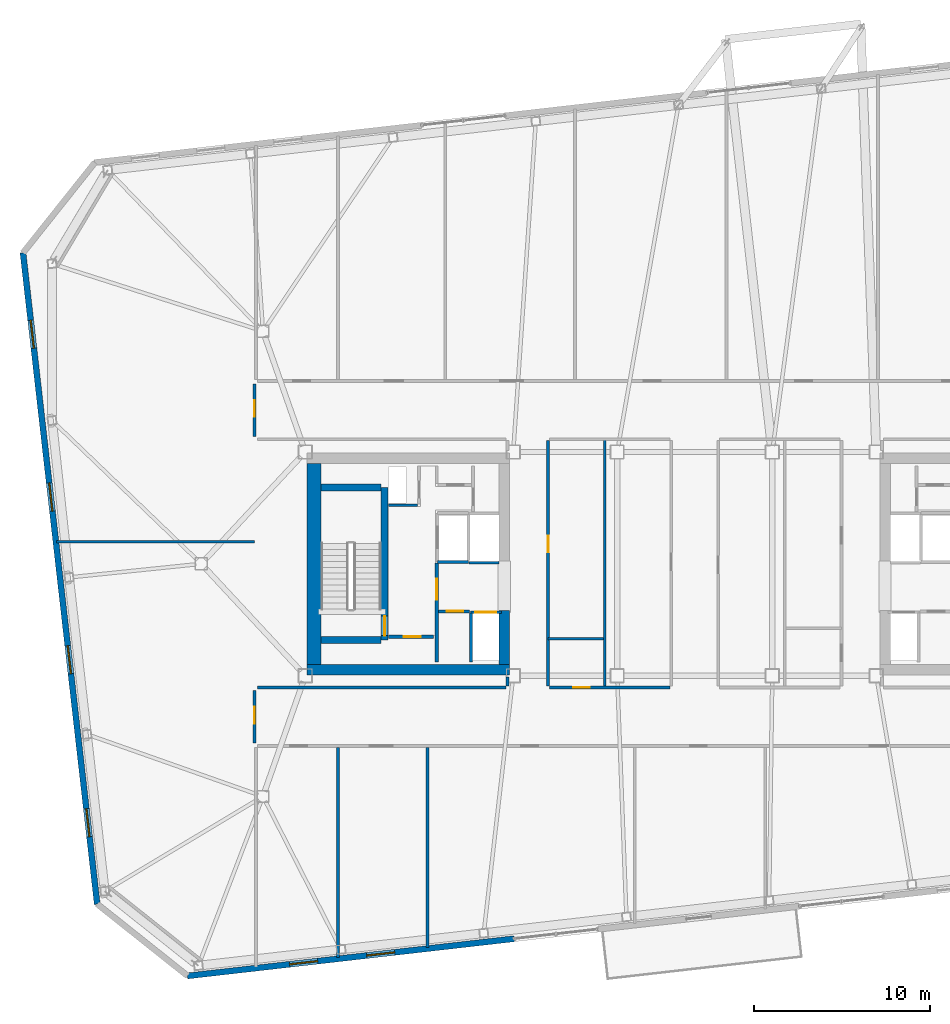
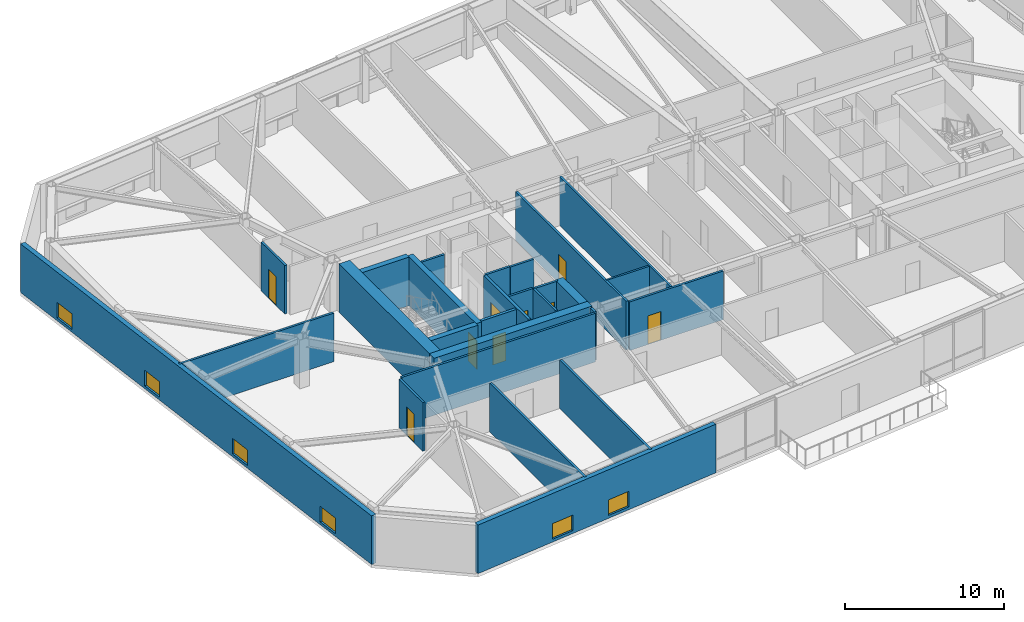
# One storey, part 12 of 20: 27 walls, 9 doors, 6 windows, 15 openings.
"""IFC4 building model written with IfcOpenShell, lengths in metres."""

from ifc_helpers import new_model, si_unit, direction, frame, frame_2d, origin, place, context, subcontext, project, spatial, rectangle, extrude, material, layer, layer_set, type_object, element, fill, save


model = new_model("IFC4")

# Units and contexts
model_context = context("Model", 3, precision=1e-05, world=origin(), true_north=direction((0.0, 1.0)))
body_context = subcontext(model_context, "Body", "Model", "MODEL_VIEW")
ifc_project = project(units=[si_unit("LENGTHUNIT", "METRE"), si_unit("AREAUNIT", "SQUARE_METRE"), si_unit("VOLUMEUNIT", "CUBIC_METRE"), si_unit("PLANEANGLEUNIT", "RADIAN"), si_unit("MASSUNIT", "GRAM", prefix="KILO")], contexts=[model_context])

# Site, building, storey
site_placement = place(None, origin())
site = spatial("IfcSite", under=ifc_project, at=site_placement, CompositionType="ELEMENT")
building_placement = place(site_placement, origin())
building = spatial("IfcBuilding", under=site, at=building_placement, Name="Tavrogorsk Clinical Tower", CompositionType="ELEMENT")
storey_placement = place(building_placement, frame((0.0, 0.0, 234.199951171875)))
storey = spatial("IfcBuildingStorey", under=building, at=storey_placement, Name="L54", CompositionType="ELEMENT", Elevation=234.199951171875)

# Wall, opening, door
ifc_material_1 = material(Name="Concrete B60", Category="concrete")
ifc_layer_1 = layer(ifc_material_1, 0.199951171875)
ifc_layer_set_1 = layer_set([ifc_layer_1], Name="Concrete B60")
wall_type_1 = type_object("IfcWallType", Name="CoreFireWall_200", PredefinedType="SOLIDWALL", material=ifc_layer_set_1)
wall_1_placement = place(storey_placement, frame((-17.3798828125, -4.139892578125, 0.0), z_axis=(0.0, 0.0, 1.0), x_axis=(1.0, 0.0, 0.0)))
wall_1 = element("IfcWall", 1, at=wall_1_placement, inside=storey, type_object=wall_type_1, Name="L54 Core West South Core Room Fire Wall", PredefinedType="SOLIDWALL", context=body_context, shape_type="SweptSolid", body=[
    extrude(rectangle(XDim=2.554931640625, YDim=0.199951171875, at=frame_2d((1.27734375, 0.0))), origin(), (0.0, 0.0, 1.0), 3.739990234375),
])
opening_1_placement = place(wall_1_placement, frame((0.8798828125, 0.0, 0.0)))
opening_1 = element("IfcOpeningElement", 2, at=opening_1_placement, cuts=wall_1, Name="Opening ID-02", PredefinedType="OPENING", context=body_context, shape_type="SweptSolid", body=[
    extrude(rectangle(XDim=0.949951171875, YDim=2.199951171875, at=frame_2d((0.47509765625, 1.10009765625))), frame((0.0, 0.10986328125, 0.0), z_axis=(0.0, -1.0, 0.0), x_axis=(1.0, 0.0, 0.0)), (0.0, 0.0, 1.0), 0.219970703125),
])
ifc_material_2 = material(Name="Laminated timber leaf on aluminium frame", Category="wood")
door_type_1 = type_object("IfcDoorType", Name="InteriorDoor_ID02_950", OperationType="NOTDEFINED", PredefinedType="DOOR", material=ifc_material_2)
door_1_placement = place(opening_1_placement, origin())
door_1 = element("IfcDoor", 3, at=door_1_placement, inside=storey, type_object=door_type_1, Name="L54 Core West South Core Room Door", OperationType="SINGLE_SWING_RIGHT", OverallHeight=2.199951171875, OverallWidth=0.949951171875, PredefinedType="DOOR", context=body_context, shape_type="SweptSolid", body=[
    extrude(rectangle(XDim=0.949951171875, YDim=2.199951171875, at=frame_2d((0.47509765625, 1.10009765625))), frame((0.0, 0.02490234375, 0.0), z_axis=(0.0, -1.0, 0.0), x_axis=(1.0, 0.0, 0.0)), (0.0, 0.0, 1.0), 0.050048828125),
])
fill(opening_1, door_1)

wall_2_placement = place(storey_placement, frame((-14.639892578125, -5.56005859375, 0.0), z_axis=(0.0, 0.0, 1.0), x_axis=(0.0, 1.0, 0.0)))
wall_2 = element("IfcWall", 4, at=wall_2_placement, inside=storey, type_object=wall_type_1, Name="L54 Core West Firefighting Lobby Fire Wall", PredefinedType="SOLIDWALL", context=body_context, shape_type="SweptSolid", body=[
    extrude(rectangle(XDim=5.60009765625, YDim=0.199951171875, at=frame_2d((2.800048828125, 0.0))), origin(), (0.0, 0.0, 1.0), 3.739990234375),
])
opening_2_placement = place(wall_2_placement, frame((3.510009765625, 0.0, 0.0)))
opening_2 = element("IfcOpeningElement", 5, at=opening_2_placement, cuts=wall_2, Name="Opening FD-01", PredefinedType="OPENING", context=body_context, shape_type="SweptSolid", body=[
    extrude(rectangle(XDim=1.199951171875, YDim=2.199951171875, at=frame_2d((0.60009765625, 1.10009765625))), frame((0.0, 0.10986328125, 0.0), z_axis=(0.0, -1.0, 0.0), x_axis=(1.0, 0.0, 0.0)), (0.0, 0.0, 1.0), 0.219970703125),
])
ifc_material_3 = material(Name="Galvanised steel fire-rated door assembly", Category="steel")
door_type_2 = type_object("IfcDoorType", Name="FireDoor_FD01_1200", OperationType="NOTDEFINED", PredefinedType="DOOR", material=ifc_material_3)
door_2_placement = place(opening_2_placement, origin())
door_2 = element("IfcDoor", 6, at=door_2_placement, inside=storey, type_object=door_type_2, Name="L54 Core West Firefighting Lobby Entry Door", OperationType="SINGLE_SWING_RIGHT", OverallHeight=2.199951171875, OverallWidth=1.199951171875, PredefinedType="DOOR", context=body_context, shape_type="SweptSolid", body=[
    extrude(rectangle(XDim=1.199951171875, YDim=2.199951171875, at=frame_2d((0.60009765625, 1.10009765625))), frame((0.0, 0.02490234375, 0.0), z_axis=(0.0, -1.0, 0.0), x_axis=(1.0, 0.0, 0.0)), (0.0, 0.0, 1.0), 0.050048828125),
])
fill(opening_2, door_2)

# Walls
ifc_material_4 = material(Name="Lightweight concrete blockwork B15", Category="masonry")
ifc_layer_2 = layer(ifc_material_4, 0.139892578125)
ifc_layer_set_2 = layer_set([ifc_layer_2], Name="Lightweight concrete blockwork B15")
wall_type_2 = type_object("IfcWallType", Name="PartitionWall_140", PredefinedType="PARTITIONING", material=ifc_layer_set_2)
wall_3_placement = place(storey_placement, frame((-5.10009765625, -7.014892578125, 0.0), z_axis=(0.0, 0.0, 1.0), x_axis=(0.0, 1.0, 0.0)))
element("IfcWall", 7, at=wall_3_placement, inside=storey, type_object=wall_type_2, Name="L54 Central Spine Partition 1", PredefinedType="PARTITIONING", context=body_context, shape_type="SweptSolid", body=[
    extrude(rectangle(XDim=14.079833984375, YDim=0.139892578125, at=frame_2d((7.0400390625, 0.0))), origin(), (0.0, 0.0, 1.0), 3.739990234375),
])
wall_4_placement = place(storey_placement, frame((-8.31494140625, -4.25, 0.0), z_axis=(0.0, 0.0, 1.0), x_axis=(1.0, 0.0, 0.0)))
element("IfcWall", 8, at=wall_4_placement, inside=storey, type_object=wall_type_2, Name="L54 Central Spine Partition 3", PredefinedType="PARTITIONING", context=body_context, shape_type="SweptSolid", body=[
    extrude(rectangle(XDim=3.139892578125, YDim=0.139892578125, at=frame_2d((1.56982421875, 0.0))), origin(), (0.0, 0.0, 1.0), 3.739990234375),
])

# Wall, opening, door
ifc_material_5 = material(Name="Lightweight concrete blockwork B15", Category="masonry")
ifc_layer_3 = layer(ifc_material_5, 0.159912109375)
ifc_layer_set_3 = layer_set([ifc_layer_3], Name="Lightweight concrete blockwork B15")
wall_type_3 = type_object("IfcWallType", Name="PartitionWall_160", PredefinedType="PARTITIONING", material=ifc_layer_set_3)
wall_5_placement = place(storey_placement, frame((-14.534912109375, -2.699951171875, 0.0), z_axis=(0.0, 0.0, 1.0), x_axis=(1.0, 0.0, 0.0)))
wall_5 = element("IfcWall", 9, at=wall_5_placement, inside=storey, type_object=wall_type_3, Name="L54 Core West Freed Low-Bank North Partition", PredefinedType="PARTITIONING", context=body_context, shape_type="SweptSolid", body=[
    extrude(rectangle(XDim=1.760009765625, YDim=0.159912109375, at=frame_2d((0.8798828125, 0.0))), origin(), (0.0, 0.0, 1.0), 3.739990234375),
])
opening_3_placement = place(wall_5_placement, frame((0.449951171875, 0.0, 0.0)))
opening_3 = element("IfcOpeningElement", 10, at=opening_3_placement, cuts=wall_5, Name="Opening ID-02", PredefinedType="OPENING", context=body_context, shape_type="SweptSolid", body=[
    extrude(rectangle(XDim=0.949951171875, YDim=2.199951171875, at=frame_2d((0.47509765625, 1.10009765625))), frame((0.0, 0.08984375, 0.0), z_axis=(0.0, -1.0, 0.0), x_axis=(1.0, 0.0, 0.0)), (0.0, 0.0, 1.0), 0.179931640625),
])
door_3_placement = place(opening_3_placement, origin())
door_3 = element("IfcDoor", 11, at=door_3_placement, inside=storey, type_object=door_type_1, Name="L54 Core West Biomedical Alcove Door", OperationType="SINGLE_SWING_LEFT", OverallHeight=2.199951171875, OverallWidth=0.949951171875, PredefinedType="DOOR", context=body_context, shape_type="SweptSolid", body=[
    extrude(rectangle(XDim=0.949951171875, YDim=2.199951171875, at=frame_2d((0.47509765625, 1.10009765625))), frame((0.0, 0.02490234375, 0.0), z_axis=(0.0, -1.0, 0.0), x_axis=(1.0, 0.0, 0.0)), (0.0, 0.0, 1.0), 0.050048828125),
])
fill(opening_3, door_3)

wall_6_placement = place(storey_placement, frame((-24.97998046875, -10.1650390625, 0.0), z_axis=(0.0, 0.0, 1.0), x_axis=(0.0, 1.0, 0.0)))
wall_6 = element("IfcWall", 12, at=wall_6_placement, inside=storey, type_object=wall_type_3, Name="L54 Corridor Partition 01", PredefinedType="PARTITIONING", context=body_context, shape_type="SweptSolid", body=[
    extrude(rectangle(XDim=2.97998046875, YDim=0.159912109375, at=frame_2d((1.489990234375, 0.0))), origin(), (0.0, 0.0, 1.0), 3.739990234375),
])
opening_4_placement = place(wall_6_placement, frame((1.10009765625, 0.0, 0.0)))
opening_4 = element("IfcOpeningElement", 13, at=opening_4_placement, cuts=wall_6, Name="Opening ID-02", PredefinedType="OPENING", context=body_context, shape_type="SweptSolid", body=[
    extrude(rectangle(XDim=0.949951171875, YDim=2.199951171875, at=frame_2d((0.47509765625, 1.10009765625))), frame((0.0, 0.08984375, 0.0), z_axis=(0.0, -1.0, 0.0), x_axis=(1.0, 0.0, 0.0)), (0.0, 0.0, 1.0), 0.179931640625),
])
door_4_placement = place(opening_4_placement, origin())
door_4 = element("IfcDoor", 14, at=door_4_placement, inside=storey, type_object=door_type_1, Name="L54 W Solarium Day Room & Lounge 1 Door", OperationType="SINGLE_SWING_RIGHT", OverallHeight=2.199951171875, OverallWidth=0.949951171875, PredefinedType="DOOR", context=body_context, shape_type="SweptSolid", body=[
    extrude(rectangle(XDim=0.949951171875, YDim=2.199951171875, at=frame_2d((0.47509765625, 1.10009765625))), frame((0.0, 0.02490234375, 0.0), z_axis=(0.0, -1.0, 0.0), x_axis=(1.0, 0.0, 0.0)), (0.0, 0.0, 1.0), 0.050048828125),
])
fill(opening_4, door_4)

# Walls
wall_7_placement = place(storey_placement, frame((-24.81494140625, -7.02001953125, 0.0), z_axis=(0.0, 0.0, 1.0), x_axis=(1.0, 0.0, 0.0)))
element("IfcWall", 15, at=wall_7_placement, inside=storey, type_object=wall_type_3, Name="L54 Corridor Partition 02", PredefinedType="PARTITIONING", context=body_context, shape_type="SweptSolid", body=[
    extrude(rectangle(XDim=14.099853515625, YDim=0.159912109375, at=frame_2d((7.0498046875, 0.0))), origin(), (0.0, 0.0, 1.0), 3.739990234375),
])
wall_8_placement = place(storey_placement, frame((-10.6298828125, -6.93505859375, 0.0), z_axis=(0.0, 0.0, 1.0), x_axis=(0.0, 1.0, 0.0)))
element("IfcWall", 16, at=wall_8_placement, inside=storey, type_object=wall_type_3, Name="L54 Corridor Partition 03", PredefinedType="PARTITIONING", context=body_context, shape_type="SweptSolid", body=[
    extrude(rectangle(XDim=0.51513671875, YDim=0.159912109375, at=frame_2d((0.257568359375, 0.0))), origin(), (0.0, 0.0, 1.0), 3.739990234375),
])

# Wall, opening, door
wall_9_placement = place(storey_placement, frame((-24.97998046875, 7.235107421875, 0.0), z_axis=(0.0, 0.0, 1.0), x_axis=(0.0, 1.0, 0.0)))
wall_9 = element("IfcWall", 17, at=wall_9_placement, inside=storey, type_object=wall_type_3, Name="L54 Corridor Partition 06", PredefinedType="PARTITIONING", context=body_context, shape_type="SweptSolid", body=[
    extrude(rectangle(XDim=2.97998046875, YDim=0.159912109375, at=frame_2d((1.489990234375, 0.0))), origin(), (0.0, 0.0, 1.0), 3.739990234375),
])
opening_5_placement = place(wall_9_placement, frame((1.10009765625, 0.0, 0.0)))
opening_5 = element("IfcOpeningElement", 18, at=opening_5_placement, cuts=wall_9, Name="Opening ID-02", PredefinedType="OPENING", context=body_context, shape_type="SweptSolid", body=[
    extrude(rectangle(XDim=0.949951171875, YDim=2.199951171875, at=frame_2d((0.47509765625, 1.10009765625))), frame((0.0, 0.08984375, 0.0), z_axis=(0.0, -1.0, 0.0), x_axis=(1.0, 0.0, 0.0)), (0.0, 0.0, 1.0), 0.179931640625),
])
door_5_placement = place(opening_5_placement, origin())
door_5 = element("IfcDoor", 19, at=door_5_placement, inside=storey, type_object=door_type_1, Name="L54 W Rehabilitation Therapy Suite 2 Door", OperationType="SINGLE_SWING_LEFT", OverallHeight=2.199951171875, OverallWidth=0.949951171875, PredefinedType="DOOR", context=body_context, shape_type="SweptSolid", body=[
    extrude(rectangle(XDim=0.949951171875, YDim=2.199951171875, at=frame_2d((0.47509765625, 1.10009765625))), frame((0.0, 0.02490234375, 0.0), z_axis=(0.0, -1.0, 0.0), x_axis=(1.0, 0.0, 0.0)), (0.0, 0.0, 1.0), 0.050048828125),
])
fill(opening_5, door_5)

wall_10_placement = place(storey_placement, frame((-8.320068359375, 6.985107421875, 0.0), z_axis=(0.0, 0.0, 1.0), x_axis=(0.0, -1.0, 0.0)))
wall_10 = element("IfcWall", 20, at=wall_10_placement, inside=storey, type_object=wall_type_3, Name="L54 Corridor Partition 21", PredefinedType="PARTITIONING", context=body_context, shape_type="SweptSolid", body=[
    extrude(rectangle(XDim=13.920166015625, YDim=0.159912109375, at=frame_2d((6.9599609375, 0.0))), origin(), (0.0, 0.0, 1.0), 3.739990234375),
])
opening_6_placement = place(wall_10_placement, frame((5.379150390625, 0.0, 0.0)))
opening_6 = element("IfcOpeningElement", 21, at=opening_6_placement, cuts=wall_10, Name="Opening ID-02", PredefinedType="OPENING", context=body_context, shape_type="SweptSolid", body=[
    extrude(rectangle(XDim=0.949951171875, YDim=2.199951171875, at=frame_2d((0.47509765625, 1.10009765625))), frame((0.0, 0.08984375, 0.0), z_axis=(0.0, -1.0, 0.0), x_axis=(1.0, 0.0, 0.0)), (0.0, 0.0, 1.0), 0.179931640625),
])
door_6_placement = place(opening_6_placement, origin())
door_6 = element("IfcDoor", 22, at=door_6_placement, inside=storey, type_object=door_type_1, Name="L54 Ward Nourishment Pantry Door", OperationType="SINGLE_SWING_LEFT", OverallHeight=2.199951171875, OverallWidth=0.949951171875, PredefinedType="DOOR", context=body_context, shape_type="SweptSolid", body=[
    extrude(rectangle(XDim=0.949951171875, YDim=2.199951171875, at=frame_2d((0.47509765625, 1.10009765625))), frame((0.0, 0.02490234375, 0.0), z_axis=(0.0, -1.0, 0.0), x_axis=(1.0, 0.0, 0.0)), (0.0, 0.0, 1.0), 0.050048828125),
])
fill(opening_6, door_6)

wall_11_placement = place(storey_placement, frame((-8.235107421875, -7.02001953125, 0.0), z_axis=(0.0, 0.0, 1.0), x_axis=(1.0, 0.0, 0.0)))
wall_11 = element("IfcWall", 23, at=wall_11_placement, inside=storey, type_object=wall_type_3, Name="L54 Corridor Partition 22", PredefinedType="PARTITIONING", context=body_context, shape_type="SweptSolid", body=[
    extrude(rectangle(XDim=6.820068359375, YDim=0.159912109375, at=frame_2d((3.41015625, 0.0))), origin(), (0.0, 0.0, 1.0), 3.739990234375),
])
opening_7_placement = place(wall_11_placement, frame((1.3291015625, 0.0, 0.0)))
opening_7 = element("IfcOpeningElement", 24, at=opening_7_placement, cuts=wall_11, Name="Opening ID-02", PredefinedType="OPENING", context=body_context, shape_type="SweptSolid", body=[
    extrude(rectangle(XDim=0.949951171875, YDim=2.199951171875, at=frame_2d((0.47509765625, 1.10009765625))), frame((0.0, 0.08984375, 0.0), z_axis=(0.0, -1.0, 0.0), x_axis=(1.0, 0.0, 0.0)), (0.0, 0.0, 1.0), 0.179931640625),
])
door_7_placement = place(opening_7_placement, origin())
door_7 = element("IfcDoor", 25, at=door_7_placement, inside=storey, type_object=door_type_1, Name="L54 Accessible Patient Lavatory Door", OperationType="SINGLE_SWING_RIGHT", OverallHeight=2.199951171875, OverallWidth=0.949951171875, PredefinedType="DOOR", context=body_context, shape_type="SweptSolid", body=[
    extrude(rectangle(XDim=0.949951171875, YDim=2.199951171875, at=frame_2d((0.47509765625, 1.10009765625))), frame((0.0, 0.02490234375, 0.0), z_axis=(0.0, -1.0, 0.0), x_axis=(1.0, 0.0, 0.0)), (0.0, 0.0, 1.0), 0.050048828125),
])
fill(opening_7, door_7)

# Walls
wall_12_placement = place(storey_placement, frame((-20.25, -22.343505859375, 0.0), z_axis=(0.0, 0.0, 1.0), x_axis=(0.0, 1.0, 0.0)))
element("IfcWall", 26, at=wall_12_placement, inside=storey, type_object=wall_type_3, Name="L54 South Room Partition 1", PredefinedType="PARTITIONING", context=body_context, shape_type="SweptSolid", body=[
    extrude(rectangle(XDim=11.928466796875, YDim=0.159912109375, at=frame_2d((5.96435546875, 0.0))), origin(), (0.0, 0.0, 1.0), 3.739990234375),
])
wall_13_placement = place(storey_placement, frame((-15.159912109375, -21.763671875, 0.0), z_axis=(0.0, 0.0, 1.0), x_axis=(0.0, 1.0, 0.0)))
element("IfcWall", 27, at=wall_13_placement, inside=storey, type_object=wall_type_3, Name="L54 South Room Partition 2", PredefinedType="PARTITIONING", context=body_context, shape_type="SweptSolid", body=[
    extrude(rectangle(XDim=11.3486328125, YDim=0.159912109375, at=frame_2d((5.67431640625, 0.0))), origin(), (0.0, 0.0, 1.0), 3.739990234375),
])
wall_14_placement = place(storey_placement, frame((-36.2294921875, 1.25, 0.0), z_axis=(0.0, 0.0, 1.0), x_axis=(1.0, 0.0, 0.0)))
element("IfcWall", 28, at=wall_14_placement, inside=storey, type_object=wall_type_3, Name="L54 W Wing Divider 1", PredefinedType="PARTITIONING", context=body_context, shape_type="SweptSolid", body=[
    extrude(rectangle(XDim=11.24951171875, YDim=0.159912109375, at=frame_2d((5.624755859375, 0.0))), origin(), (0.0, 0.0, 1.0), 3.739990234375),
])

# Wall, openings, windows
ifc_material_6 = material(Name="Precast concrete B45 with limestone cladding", Category="masonry")
ifc_layer_4 = layer(ifc_material_6, 0.340087890625)
ifc_layer_set_4 = layer_set([ifc_layer_4], Name="Precast concrete B45 with limestone cladding")
wall_type_4 = type_object("IfcWallType", Name="PrecastLimestoneWall_340", PredefinedType="STANDARD", material=ifc_layer_set_4)
wall_15_placement = place(storey_placement, frame((-28.78271484375, -23.38623046875, 0.0), z_axis=(0.0, 0.0, 1.0), x_axis=(0.993572271362, 0.113199565282, 0.0)))
wall_15 = element("IfcWall", 29, at=wall_15_placement, inside=storey, type_object=wall_type_4, Name="L54 S Limestone Facade Wall 1", PredefinedType="STANDARD", context=body_context, shape_type="SweptSolid", body=[
    extrude(rectangle(XDim=18.6513671875, YDim=0.340087890625, at=frame_2d((9.32568359375, 0.0))), origin(), (0.0, 0.0, 1.0), 3.739990234375),
])
opening_8_placement = place(wall_15_placement, frame((5.82861328125, 0.0, 0.219970703125)))
opening_8 = element("IfcOpeningElement", 30, at=opening_8_placement, cuts=wall_15, Name="Opening WN-09", PredefinedType="OPENING", context=body_context, shape_type="SweptSolid", body=[
    extrude(rectangle(XDim=1.60009765625, YDim=1.199951171875, at=frame_2d((0.800048828125, 0.60009765625))), frame((0.0, 0.179931640625, 0.0), z_axis=(0.0, -1.0, 0.0), x_axis=(1.0, 0.0, 0.0)), (0.0, 0.0, 1.0), 0.360107421875),
])
opening_9_placement = place(wall_15_placement, frame((10.228759765625, 0.0, 0.219970703125)))
opening_9 = element("IfcOpeningElement", 31, at=opening_9_placement, cuts=wall_15, Name="Opening WN-09", PredefinedType="OPENING", context=body_context, shape_type="SweptSolid", body=[
    extrude(rectangle(XDim=1.60009765625, YDim=1.199951171875, at=frame_2d((0.800048828125, 0.60009765625))), frame((0.0, 0.179931640625, 0.0), z_axis=(0.0, -1.0, 0.0), x_axis=(1.0, 0.0, 0.0)), (0.0, 0.0, 1.0), 0.360107421875),
])
ifc_material_7 = material(Name="Thermally broken aluminium frame and triple IGU", Category="aluminium")
window_type = type_object("IfcWindowType", Name="LowHeadTransWin_1600x1200", PartitioningType="DOUBLE_PANEL_VERTICAL", PredefinedType="WINDOW", material=ifc_material_7)
window_1_placement = place(opening_8_placement, origin())
window_1 = element("IfcWindow", 32, at=window_1_placement, inside=storey, type_object=window_type, Name="L54 S Chicago Window 02", OverallHeight=1.199951171875, OverallWidth=1.60009765625, PartitioningType="SINGLE_PANEL", PredefinedType="WINDOW", context=body_context, shape_type="SweptSolid", body=[
    extrude(rectangle(XDim=1.60009765625, YDim=1.199951171875, at=frame_2d((0.800048828125, 0.60009765625))), frame((0.0, 0.030029296875, 0.0), z_axis=(0.0, -1.0, 0.0), x_axis=(1.0, 0.0, 0.0)), (0.0, 0.0, 1.0), 0.06005859375),
])
fill(opening_8, window_1)
window_2_placement = place(opening_9_placement, origin())
window_2 = element("IfcWindow", 33, at=window_2_placement, inside=storey, type_object=window_type, Name="L54 S Chicago Window 03", OverallHeight=1.199951171875, OverallWidth=1.60009765625, PartitioningType="SINGLE_PANEL", PredefinedType="WINDOW", context=body_context, shape_type="SweptSolid", body=[
    extrude(rectangle(XDim=1.60009765625, YDim=1.199951171875, at=frame_2d((0.800048828125, 0.60009765625))), frame((0.0, 0.030029296875, 0.0), z_axis=(0.0, -1.0, 0.0), x_axis=(1.0, 0.0, 0.0)), (0.0, 0.0, 1.0), 0.06005859375),
])
fill(opening_9, window_2)

wall_16_placement = place(storey_placement, frame((-38.1181640625, 17.65087890625, 0.0), z_axis=(0.0, 0.0, 1.0), x_axis=(0.11320360501, -0.9935718111, 0.0)))
wall_16 = element("IfcWall", 34, at=wall_16_placement, inside=storey, type_object=wall_type_4, Name="L54 W Pleated Limestone Wing Wall", PredefinedType="STANDARD", context=body_context, shape_type="SweptSolid", body=[
    extrude(rectangle(XDim=37.199951171875, YDim=0.340087890625, at=frame_2d((18.60009765625, 0.0))), origin(), (0.0, 0.0, 1.0), 3.739990234375),
])
opening_10_placement = place(wall_16_placement, frame((3.85009765625, 0.0, 0.219970703125)))
opening_10 = element("IfcOpeningElement", 35, at=opening_10_placement, cuts=wall_16, Name="Opening WN-09", PredefinedType="OPENING", context=body_context, shape_type="SweptSolid", body=[
    extrude(rectangle(XDim=1.60009765625, YDim=1.199951171875, at=frame_2d((0.800048828125, 0.60009765625))), frame((0.0, 0.179931640625, 0.0), z_axis=(0.0, -1.0, 0.0), x_axis=(1.0, 0.0, 0.0)), (0.0, 0.0, 1.0), 0.360107421875),
])
opening_11_placement = place(wall_16_placement, frame((13.14990234375, 0.0, 0.219970703125)))
opening_11 = element("IfcOpeningElement", 36, at=opening_11_placement, cuts=wall_16, Name="Opening WN-09", PredefinedType="OPENING", context=body_context, shape_type="SweptSolid", body=[
    extrude(rectangle(XDim=1.60009765625, YDim=1.199951171875, at=frame_2d((0.800048828125, 0.60009765625))), frame((0.0, 0.179931640625, 0.0), z_axis=(0.0, -1.0, 0.0), x_axis=(1.0, 0.0, 0.0)), (0.0, 0.0, 1.0), 0.360107421875),
])
opening_12_placement = place(wall_16_placement, frame((22.449951171875, 0.0, 0.219970703125)))
opening_12 = element("IfcOpeningElement", 37, at=opening_12_placement, cuts=wall_16, Name="Opening WN-09", PredefinedType="OPENING", context=body_context, shape_type="SweptSolid", body=[
    extrude(rectangle(XDim=1.60009765625, YDim=1.199951171875, at=frame_2d((0.800048828125, 0.60009765625))), frame((0.0, 0.179931640625, 0.0), z_axis=(0.0, -1.0, 0.0), x_axis=(1.0, 0.0, 0.0)), (0.0, 0.0, 1.0), 0.360107421875),
])
opening_13_placement = place(wall_16_placement, frame((31.75, 0.0, 0.219970703125)))
opening_13 = element("IfcOpeningElement", 38, at=opening_13_placement, cuts=wall_16, Name="Opening WN-09", PredefinedType="OPENING", context=body_context, shape_type="SweptSolid", body=[
    extrude(rectangle(XDim=1.60009765625, YDim=1.199951171875, at=frame_2d((0.800048828125, 0.60009765625))), frame((0.0, 0.179931640625, 0.0), z_axis=(0.0, -1.0, 0.0), x_axis=(1.0, 0.0, 0.0)), (0.0, 0.0, 1.0), 0.360107421875),
])
window_3_placement = place(opening_10_placement, origin())
window_3 = element("IfcWindow", 39, at=window_3_placement, inside=storey, type_object=window_type, Name="L54 W Pleat Slot Window 1", OverallHeight=1.199951171875, OverallWidth=1.60009765625, PartitioningType="SINGLE_PANEL", PredefinedType="WINDOW", context=body_context, shape_type="SweptSolid", body=[
    extrude(rectangle(XDim=1.60009765625, YDim=1.199951171875, at=frame_2d((0.800048828125, 0.60009765625))), frame((0.0, 0.030029296875, 0.0), z_axis=(0.0, -1.0, 0.0), x_axis=(1.0, 0.0, 0.0)), (0.0, 0.0, 1.0), 0.06005859375),
])
fill(opening_10, window_3)
window_4_placement = place(opening_11_placement, origin())
window_4 = element("IfcWindow", 40, at=window_4_placement, inside=storey, type_object=window_type, Name="L54 W Pleat Slot Window 2", OverallHeight=1.199951171875, OverallWidth=1.60009765625, PartitioningType="SINGLE_PANEL", PredefinedType="WINDOW", context=body_context, shape_type="SweptSolid", body=[
    extrude(rectangle(XDim=1.60009765625, YDim=1.199951171875, at=frame_2d((0.800048828125, 0.60009765625))), frame((0.0, 0.030029296875, 0.0), z_axis=(0.0, -1.0, 0.0), x_axis=(1.0, 0.0, 0.0)), (0.0, 0.0, 1.0), 0.06005859375),
])
fill(opening_11, window_4)
window_5_placement = place(opening_12_placement, origin())
window_5 = element("IfcWindow", 41, at=window_5_placement, inside=storey, type_object=window_type, Name="L54 W Pleat Slot Window 3", OverallHeight=1.199951171875, OverallWidth=1.60009765625, PartitioningType="SINGLE_PANEL", PredefinedType="WINDOW", context=body_context, shape_type="SweptSolid", body=[
    extrude(rectangle(XDim=1.60009765625, YDim=1.199951171875, at=frame_2d((0.800048828125, 0.60009765625))), frame((0.0, 0.030029296875, 0.0), z_axis=(0.0, -1.0, 0.0), x_axis=(1.0, 0.0, 0.0)), (0.0, 0.0, 1.0), 0.06005859375),
])
fill(opening_12, window_5)
window_6_placement = place(opening_13_placement, origin())
window_6 = element("IfcWindow", 42, at=window_6_placement, inside=storey, type_object=window_type, Name="L54 W Pleat Slot Window 4", OverallHeight=1.199951171875, OverallWidth=1.60009765625, PartitioningType="SINGLE_PANEL", PredefinedType="WINDOW", context=body_context, shape_type="SweptSolid", body=[
    extrude(rectangle(XDim=1.60009765625, YDim=1.199951171875, at=frame_2d((0.800048828125, 0.60009765625))), frame((0.0, 0.030029296875, 0.0), z_axis=(0.0, -1.0, 0.0), x_axis=(1.0, 0.0, 0.0)), (0.0, 0.0, 1.0), 0.06005859375),
])
fill(opening_13, window_6)

# Wall
ifc_material_8 = material(Name="Lightweight concrete blockwork B25", Category="masonry")
ifc_layer_5 = layer(ifc_material_8, 0.159912109375)
ifc_layer_set_5 = layer_set([ifc_layer_5], Name="Lightweight concrete blockwork B25")
wall_type_5 = type_object("IfcWallType", Name="ShaftWall_160", PredefinedType="PARTITIONING", material=ifc_layer_set_5)
wall_17_placement = place(storey_placement, frame((-14.60009765625, 0.10009765625, 0.0), z_axis=(0.0, 0.0, 1.0), x_axis=(1.0, 0.0, 0.0)))
element("IfcWall", 43, at=wall_17_placement, inside=storey, type_object=wall_type_5, Name="L54 FFL-W Shaft South Wall", PredefinedType="PARTITIONING", context=body_context, shape_type="SweptSolid", body=[
    extrude(rectangle(XDim=1.760009765625, YDim=0.159912109375, at=frame_2d((0.8798828125, 0.0))), origin(), (0.0, 0.0, 1.0), 3.739990234375),
])

# Wall, opening, door
wall_18_placement = place(storey_placement, frame((-12.72998046875, -2.75, 0.0), z_axis=(0.0, 0.0, 1.0), x_axis=(1.0, 0.0, 0.0)))
wall_18 = element("IfcWall", 44, at=wall_18_placement, inside=storey, type_object=wall_type_5, Name="L54 LP-M1 Lift Shaft Portal Wall", PredefinedType="PARTITIONING", context=body_context, shape_type="SweptSolid", body=[
    extrude(rectangle(XDim=1.760009765625, YDim=0.159912109375, at=frame_2d((0.8798828125, 0.0))), origin(), (0.0, 0.0, 1.0), 3.739990234375),
])
opening_14_placement = place(wall_18_placement, frame((0.280029296875, 0.0, 0.0)))
opening_14 = element("IfcOpeningElement", 45, at=opening_14_placement, cuts=wall_18, Name="Opening LD", PredefinedType="OPENING", context=body_context, shape_type="SweptSolid", body=[
    extrude(rectangle(XDim=1.199951171875, YDim=2.199951171875, at=frame_2d((0.60009765625, 1.10009765625))), frame((0.0, 0.08984375, 0.0), z_axis=(0.0, -1.0, 0.0), x_axis=(1.0, 0.0, 0.0)), (0.0, 0.0, 1.0), 0.179931640625),
])
ifc_material_9 = material(Name="Brushed stainless steel AISI 304 sliding doors", Category="steel")
door_type_3 = type_object("IfcDoorType", Name="LiftLandingDoor_LD_1200", OperationType="SLIDING_TO_LEFT", PredefinedType="DOOR", material=ifc_material_9)
door_8_placement = place(opening_14_placement, origin())
door_8 = element("IfcDoor", 46, at=door_8_placement, inside=storey, type_object=door_type_3, Name="L54 LP-M1 Sliding Lift Landing Door", OperationType="SLIDING_TO_LEFT", OverallHeight=2.199951171875, OverallWidth=1.199951171875, PredefinedType="DOOR", context=body_context, shape_type="SweptSolid", body=[
    extrude(rectangle(XDim=1.199951171875, YDim=2.199951171875, at=frame_2d((0.60009765625, 1.10009765625))), frame((0.0, 0.02490234375, 0.0), z_axis=(0.0, -1.0, 0.0), x_axis=(1.0, 0.0, 0.0)), (0.0, 0.0, 1.0), 0.050048828125),
])
fill(opening_14, door_8)

# Walls
wall_19_placement = place(storey_placement, frame((-12.820068359375, 0.06005859375, 0.0), z_axis=(0.0, 0.0, 1.0), x_axis=(1.0, 0.0, 0.0)))
element("IfcWall", 47, at=wall_19_placement, inside=storey, type_object=wall_type_5, Name="L54 LP-H1 High-Zone Lift Portal Wall", PredefinedType="PARTITIONING", context=body_context, shape_type="SweptSolid", body=[
    extrude(rectangle(XDim=1.719970703125, YDim=0.159912109375, at=frame_2d((0.85986328125, 0.0))), origin(), (0.0, 0.0, 1.0), 3.739990234375),
])
wall_20_placement = place(storey_placement, frame((-17.3798828125, 3.320068359375, 0.0), z_axis=(0.0, 0.0, 1.0), x_axis=(1.0, 0.0, 0.0)))
element("IfcWall", 48, at=wall_20_placement, inside=storey, type_object=wall_type_5, Name="L54 Core West Riser South Wall", PredefinedType="PARTITIONING", context=body_context, shape_type="SweptSolid", body=[
    extrude(rectangle(XDim=1.65478515625, YDim=0.159912109375, at=frame_2d((0.827392578125, 0.0))), origin(), (0.0, 0.0, 1.0), 3.739990234375),
])
wall_21_placement = place(storey_placement, frame((-12.68994140625, -5.56005859375, 0.0), z_axis=(0.0, 0.0, 1.0), x_axis=(0.0, 1.0, 0.0)))
element("IfcWall", 49, at=wall_21_placement, inside=storey, type_object=wall_type_5, Name="L54 Core West Freed Low-Bank Shaft Divider", PredefinedType="PARTITIONING", context=body_context, shape_type="SweptSolid", body=[
    extrude(rectangle(XDim=2.775146484375, YDim=0.159912109375, at=frame_2d((1.3876953125, 0.0))), origin(), (0.0, 0.0, 1.0), 3.739990234375),
])

# Wall, opening, door
ifc_material_10 = material(Name="Concrete B80", Category="concrete")
ifc_layer_6 = layer(ifc_material_10, 0.39990234375)
ifc_layer_set_6 = layer_set([ifc_layer_6], Name="Concrete B80")
wall_type_6 = type_object("IfcWallType", Name="ShearWall_400", PredefinedType="SHEAR", material=ifc_layer_set_6)
wall_22_placement = place(storey_placement, frame((-17.60009765625, -4.324951171875, 0.0), z_axis=(0.0, 0.0, 1.0), x_axis=(0.0, 1.0, 0.0)))
wall_22 = element("IfcWall", 50, at=wall_22_placement, inside=storey, type_object=wall_type_6, Name="L54 Core West Stair Shaft Inner Shear Wall", PredefinedType="SHEAR", context=body_context, shape_type="SweptSolid", body=[
    extrude(rectangle(XDim=8.64990234375, YDim=0.39990234375, at=frame_2d((4.324951171875, 0.0))), origin(), (0.0, 0.0, 1.0), 3.739990234375),
])
opening_15_placement = place(wall_22_placement, frame((0.25, 0.0, 0.0)))
opening_15 = element("IfcOpeningElement", 51, at=opening_15_placement, cuts=wall_22, Name="Opening SD-01", PredefinedType="OPENING", context=body_context, shape_type="SweptSolid", body=[
    extrude(rectangle(XDim=1.10009765625, YDim=2.199951171875, at=frame_2d((0.550048828125, 1.10009765625))), frame((0.0, 0.2099609375, 0.0), z_axis=(0.0, -1.0, 0.0), x_axis=(1.0, 0.0, 0.0)), (0.0, 0.0, 1.0), 0.419921875),
])
ifc_material_11 = material(Name="Galvanised steel smoke-tight fire door assembly", Category="steel")
door_type_4 = type_object("IfcDoorType", Name="StairFireDoor_SD01_1100", OperationType="NOTDEFINED", PredefinedType="DOOR", material=ifc_material_11)
door_9_placement = place(opening_15_placement, origin())
door_9 = element("IfcDoor", 52, at=door_9_placement, inside=storey, type_object=door_type_4, Name="L54 ST-W Exit Stair Door", OperationType="SINGLE_SWING_LEFT", OverallHeight=2.199951171875, OverallWidth=1.10009765625, PredefinedType="DOOR", context=body_context, shape_type="SweptSolid", body=[
    extrude(rectangle(XDim=1.10009765625, YDim=2.199951171875, at=frame_2d((0.550048828125, 1.10009765625))), frame((0.0, 0.02490234375, 0.0), z_axis=(0.0, -1.0, 0.0), x_axis=(1.0, 0.0, 0.0)), (0.0, 0.0, 1.0), 0.050048828125),
])
fill(opening_15, door_9)

# Walls
for number, where, z_axis, x_axis, name in (
    (53, (-21.199951171875, -4.324951171875, 0.0), (0.0, 0.0, 1.0), (1.0, 0.0, 0.0), "L54 Core West Stair Shaft South Shear Wall"),
    (54, (-21.199951171875, 4.324951171875, 0.0), (0.0, 0.0, 1.0), (1.0, 0.0, 0.0), "L54 Core West Stair Shaft North Shear Wall"),
):
    element("IfcWall", number, at=place(storey_placement, frame(where, z_axis=z_axis, x_axis=x_axis)), inside=storey, type_object=wall_type_6, Name=name, PredefinedType="SHEAR", context=body_context, shape_type="SweptSolid", body=[
        extrude(rectangle(XDim=3.39990234375, YDim=0.39990234375, at=frame_2d((1.699951171875, 0.0))), origin(), (0.0, 0.0, 1.0), 3.739990234375),
    ])
ifc_material_12 = material(Name="Concrete B80", Category="concrete")
ifc_layer_7 = layer(ifc_material_12, 0.60009765625)
ifc_layer_set_7 = layer_set([ifc_layer_7], Name="Concrete B80")
wall_type_7 = type_object("IfcWallType", Name="ShearWall_600", PredefinedType="SHEAR", material=ifc_layer_set_7)
wall_23_placement = place(storey_placement, frame((-22.0, -6.0, 0.0), z_axis=(0.0, 0.0, 1.0), x_axis=(1.0, 0.0, 0.0)))
element("IfcWall", 55, at=wall_23_placement, inside=storey, type_object=wall_type_7, Name="L54 Core West South Shear Wall", PredefinedType="SHEAR", context=body_context, shape_type="SweptSolid", body=[
    extrude(rectangle(XDim=11.5, YDim=0.60009765625, at=frame_2d((5.75, 0.0))), origin(), (0.0, 0.0, 1.0), 3.739990234375),
])
wall_24_placement = place(storey_placement, frame((-10.800048828125, -5.699951171875, 0.0), z_axis=(0.0, 0.0, 1.0), x_axis=(0.0, 1.0, 0.0)))
element("IfcWall", 56, at=wall_24_placement, inside=storey, type_object=wall_type_7, Name="L54 Core West Inner South Pier", PredefinedType="SHEAR", context=body_context, shape_type="SweptSolid", body=[
    extrude(rectangle(XDim=3.050048828125, YDim=0.60009765625, at=frame_2d((1.52490234375, 0.0))), origin(), (0.0, 0.0, 1.0), 3.739990234375),
])
ifc_material_13 = material(Name="Concrete B80", Category="concrete")
ifc_layer_8 = layer(ifc_material_13, 0.800048828125)
ifc_layer_set_8 = layer_set([ifc_layer_8], Name="Concrete B80")
wall_type_8 = type_object("IfcWallType", Name="ShearWall_800", PredefinedType="SHEAR", material=ifc_layer_set_8)
wall_25_placement = place(storey_placement, frame((-21.60009765625, -5.699951171875, 0.0), z_axis=(0.0, 0.0, 1.0), x_axis=(0.0, 1.0, 0.0)))
element("IfcWall", 57, at=wall_25_placement, inside=storey, type_object=wall_type_8, Name="L54 Core West End Shear Wall", PredefinedType="SHEAR", context=body_context, shape_type="SweptSolid", body=[
    extrude(rectangle(XDim=11.39990234375, YDim=0.800048828125, at=frame_2d((5.699951171875, 0.0))), origin(), (0.0, 0.0, 1.0), 3.739990234375),
])

save(model, "model.ifc")
